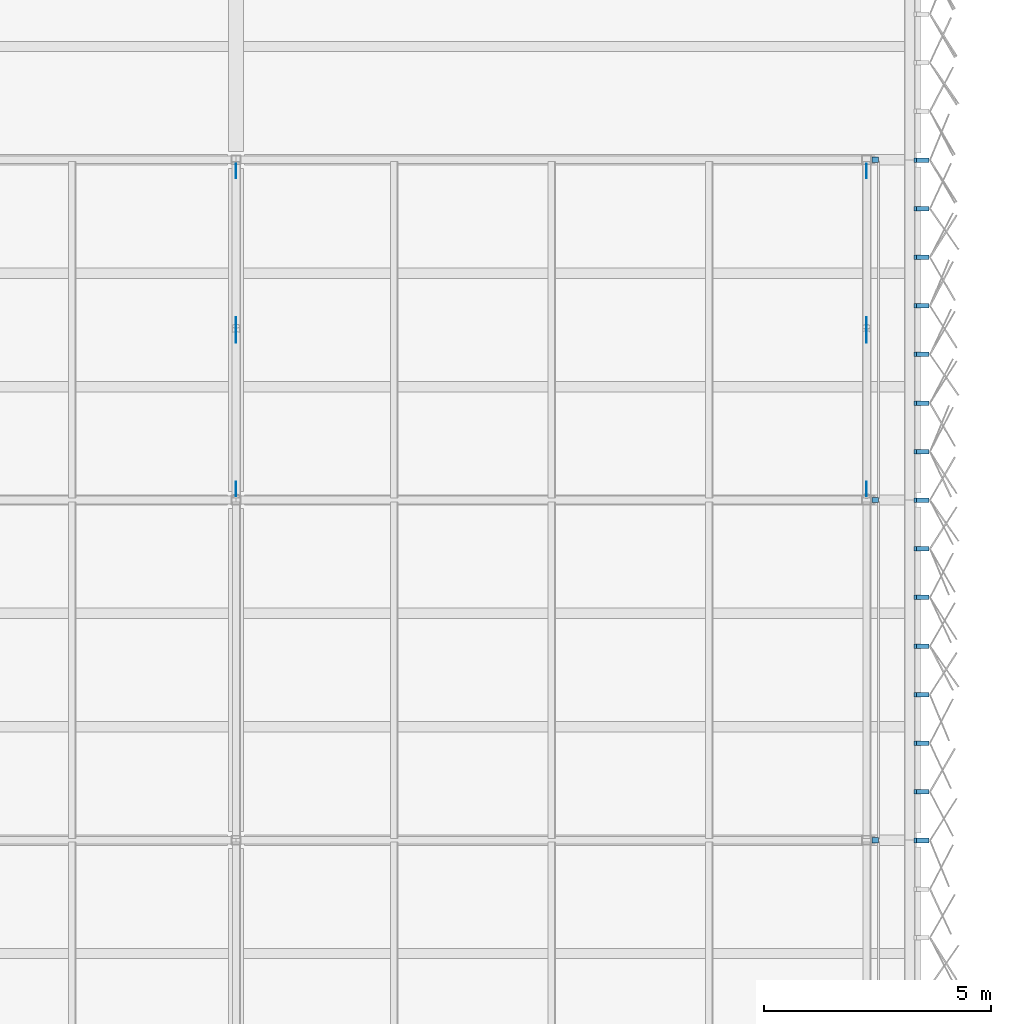
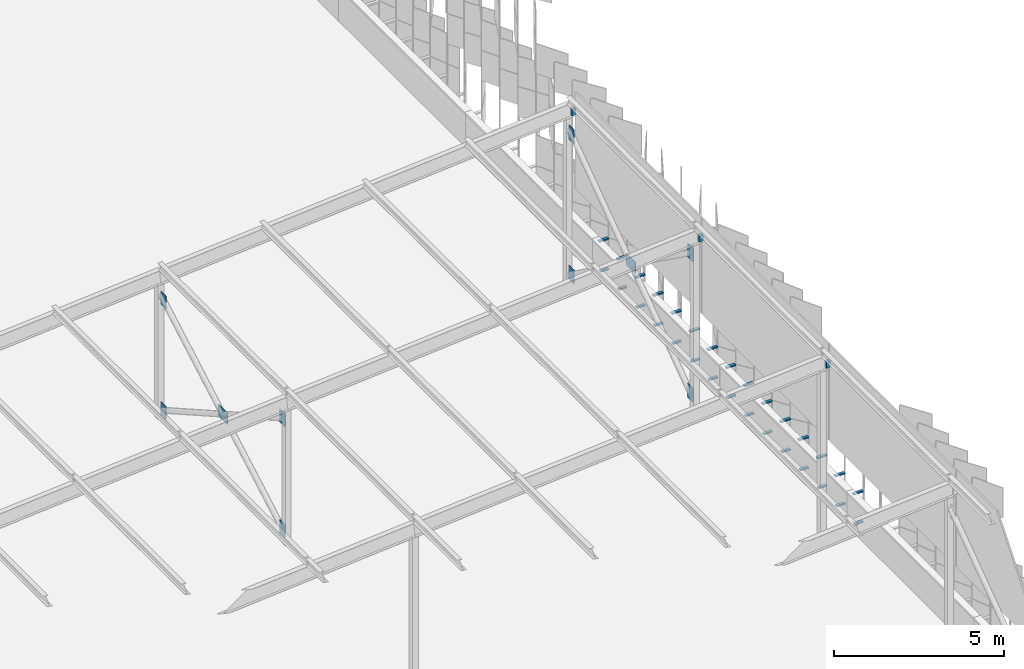
# One storey, part 444 of 483: 43 discrete accessories.
"""IFC4 building model written with IfcOpenShell, lengths in metres."""

from ifc_helpers import new_model, si_unit, direction, frame, origin, origin_2d, place, context, subcontext, project, spatial, polyline, rectangle, outline, extrude, material, layer, layer_set, type_object, element, save


model = new_model("IFC4")

# Units and contexts
model_context = context("Model", 3, precision=1e-05, world=origin(), true_north=direction((0.0, 1.0)))
body_context = subcontext(model_context, "Body", "Model", "MODEL_VIEW")
ifc_project = project(units=[si_unit("LENGTHUNIT", "METRE"), si_unit("AREAUNIT", "SQUARE_METRE"), si_unit("VOLUMEUNIT", "CUBIC_METRE"), si_unit("PLANEANGLEUNIT", "RADIAN"), si_unit("MASSUNIT", "GRAM", prefix="KILO")], contexts=[model_context])

# Site, building, storey
site_placement = place(None, origin())
site = spatial("IfcSite", under=ifc_project, at=site_placement, CompositionType="ELEMENT")
building_placement = place(site_placement, origin())
building = spatial("IfcBuilding", under=site, at=building_placement, Name="Parallax Yard Mobility Hub", CompositionType="ELEMENT")
storey_placement = place(building_placement, frame((0.0, 0.0, 13.199951171875)))
storey = spatial("IfcBuildingStorey", under=building, at=storey_placement, Name="L04", CompositionType="ELEMENT", Elevation=13.199951171875)

# Discrete accessories
ifc_material_1 = material(Name="Steel ASTM A36", Category="steel")
ifc_layer = layer(ifc_material_1, 0.011962890625)
ifc_layer_set = layer_set([ifc_layer], Name="Gusset plate PL12")
discrete_accessory_type_1 = type_object("IfcDiscreteAccessoryType", Name="Gusset plate PL12", PredefinedType="BRACKET", material=ifc_layer_set)
discrete_accessory_1_placement = place(storey_placement, frame((0.0, 0.0, 0.150146484375)))
element("IfcDiscreteAccessory", 1, at=discrete_accessory_1_placement, inside=storey, type_object=discrete_accessory_type_1, Name="Gusset plate PL12 RB bay E-A bay 4 foot on post E-A5", PredefinedType="BRACKET", context=body_context, shape_type="SweptSolid", body=[
    extrude(outline(polyline([(209.993896484375, 67.41845703125), (209.993896484375, 67.098388671875), (210.006103515625, 67.098388671875), (210.006103515625, 67.41845703125), (209.993896484375, 67.41845703125)])), origin(), (0.0, 0.0, 1.0), 0.4697265625),
])
discrete_accessory_2_placement = place(storey_placement, frame((0.0, 0.0, 4.130126953125)))
element("IfcDiscreteAccessory", 2, at=discrete_accessory_2_placement, inside=storey, type_object=discrete_accessory_type_1, Name="Gusset plate PL12 RB bay E-A bay 4 head on post E-A4", PredefinedType="BRACKET", context=body_context, shape_type="SweptSolid", body=[
    extrude(outline(polyline([(210.006103515625, 60.08154296875), (210.006103515625, 60.401611328125), (209.993896484375, 60.401611328125), (209.993896484375, 60.08154296875), (210.006103515625, 60.08154296875)])), origin(), (0.0, 0.0, 1.0), 0.469970703125),
])
discrete_accessory_3_placement = place(storey_placement, frame((0.0, 0.0, 0.150146484375)))
element("IfcDiscreteAccessory", 3, at=discrete_accessory_3_placement, inside=storey, type_object=discrete_accessory_type_1, Name="Gusset plate PL12 RB bay E-A bay 4 foot on post E-A4", PredefinedType="BRACKET", context=body_context, shape_type="SweptSolid", body=[
    extrude(outline(polyline([(210.006103515625, 60.08154296875), (210.006103515625, 60.401611328125), (209.993896484375, 60.401611328125), (209.993896484375, 60.08154296875), (210.006103515625, 60.08154296875)])), origin(), (0.0, 0.0, 1.0), 0.4697265625),
])
discrete_accessory_4_placement = place(storey_placement, frame((0.0, 0.0, 4.130126953125)))
element("IfcDiscreteAccessory", 4, at=discrete_accessory_4_placement, inside=storey, type_object=discrete_accessory_type_1, Name="Gusset plate PL12 RB bay E-A bay 4 head on post E-A5", PredefinedType="BRACKET", context=body_context, shape_type="SweptSolid", body=[
    extrude(outline(polyline([(209.993896484375, 67.41845703125), (209.993896484375, 67.098388671875), (210.006103515625, 67.098388671875), (210.006103515625, 67.41845703125), (209.993896484375, 67.41845703125)])), origin(), (0.0, 0.0, 1.0), 0.469970703125),
])
discrete_accessory_5_placement = place(storey_placement, frame((0.0, 0.0, 2.1650390625)))
element("IfcDiscreteAccessory", 5, at=discrete_accessory_5_placement, inside=storey, type_object=discrete_accessory_type_1, Name="Gusset plate PL12 RB bay E-A bay 4 crossing node", PredefinedType="BRACKET", context=body_context, shape_type="SweptSolid", body=[
    extrude(outline(polyline([(210.006103515625, 63.469970703125), (210.006103515625, 64.030029296875), (209.993896484375, 64.030029296875), (209.993896484375, 63.469970703125), (210.006103515625, 63.469970703125)])), origin(), (0.0, 0.0, 1.0), 0.419921875),
])
discrete_accessory_6_placement = place(storey_placement, frame((0.0, 0.0, 0.150146484375)))
element("IfcDiscreteAccessory", 6, at=discrete_accessory_6_placement, inside=storey, type_object=discrete_accessory_type_1, Name="Gusset plate PL12 RC bay E-A bay 4 foot on post E-A5", PredefinedType="BRACKET", context=body_context, shape_type="SweptSolid", body=[
    extrude(outline(polyline([(223.89404296875, 67.41845703125), (223.89404296875, 67.098388671875), (223.906005859375, 67.098388671875), (223.906005859375, 67.41845703125), (223.89404296875, 67.41845703125)])), origin(), (0.0, 0.0, 1.0), 0.515380859375),
])
discrete_accessory_7_placement = place(storey_placement, frame((0.0, 0.0, 5.196533203125)))
element("IfcDiscreteAccessory", 7, at=discrete_accessory_7_placement, inside=storey, type_object=discrete_accessory_type_1, Name="Gusset plate PL12 RC bay E-A bay 4 head on post E-A4", PredefinedType="BRACKET", context=body_context, shape_type="SweptSolid", body=[
    extrude(outline(polyline([(223.906005859375, 60.08154296875), (223.906005859375, 60.401611328125), (223.89404296875, 60.401611328125), (223.89404296875, 60.08154296875), (223.906005859375, 60.08154296875)])), origin(), (0.0, 0.0, 1.0), 0.515625),
])
discrete_accessory_8_placement = place(storey_placement, frame((0.0, 0.0, 0.150146484375)))
element("IfcDiscreteAccessory", 8, at=discrete_accessory_8_placement, inside=storey, type_object=discrete_accessory_type_1, Name="Gusset plate PL12 RC bay E-A bay 4 foot on post E-A4", PredefinedType="BRACKET", context=body_context, shape_type="SweptSolid", body=[
    extrude(outline(polyline([(223.906005859375, 60.08154296875), (223.906005859375, 60.401611328125), (223.89404296875, 60.401611328125), (223.89404296875, 60.08154296875), (223.906005859375, 60.08154296875)])), origin(), (0.0, 0.0, 1.0), 0.515380859375),
])
discrete_accessory_9_placement = place(storey_placement, frame((0.0, 0.0, 5.196533203125)))
element("IfcDiscreteAccessory", 9, at=discrete_accessory_9_placement, inside=storey, type_object=discrete_accessory_type_1, Name="Gusset plate PL12 RC bay E-A bay 4 head on post E-A5", PredefinedType="BRACKET", context=body_context, shape_type="SweptSolid", body=[
    extrude(outline(polyline([(223.89404296875, 67.41845703125), (223.89404296875, 67.098388671875), (223.906005859375, 67.098388671875), (223.906005859375, 67.41845703125), (223.89404296875, 67.41845703125)])), origin(), (0.0, 0.0, 1.0), 0.515625),
])
discrete_accessory_10_placement = place(storey_placement, frame((0.0, 0.0, 2.720947265625)))
element("IfcDiscreteAccessory", 10, at=discrete_accessory_10_placement, inside=storey, type_object=discrete_accessory_type_1, Name="Gusset plate PL12 RC bay E-A bay 4 crossing node", PredefinedType="BRACKET", context=body_context, shape_type="SweptSolid", body=[
    extrude(outline(polyline([(223.906005859375, 63.469970703125), (223.906005859375, 64.030029296875), (223.89404296875, 64.030029296875), (223.89404296875, 63.469970703125), (223.906005859375, 63.469970703125)])), origin(), (0.0, 0.0, 1.0), 0.420166015625),
])
ifc_material_2 = material(Name="Steel ASTM A36, hot-dip galvanised", Category="steel")
discrete_accessory_type_2 = type_object("IfcDiscreteAccessoryType", Name="Hinge bracket plate 100x50", PredefinedType="BRACKET", material=ifc_material_2)
discrete_accessory_11_placement = place(storey_placement, frame((225.1416015625, 52.491943359375, -0.02490234375), z_axis=(0.0, 0.0, 1.0), x_axis=(1.0, 0.0, 0.0)))
element("IfcDiscreteAccessory", 11, at=discrete_accessory_11_placement, inside=storey, type_object=discrete_accessory_type_2, Name="Hinge bracket plate bay 36.1 level L04", PredefinedType="BRACKET", context=body_context, shape_type="SweptSolid", body=[
    extrude(rectangle(XDim=0.2841796875, YDim=0.10009765625, at=origin_2d()), origin(), (0.0, 0.0, 1.0), 0.050048828125),
])
discrete_accessory_12_placement = place(storey_placement, frame((225.11865234375, 52.491943359375, 1.06982421875), z_axis=(0.0, 0.0, 1.0), x_axis=(1.0, 0.0, 0.0)))
element("IfcDiscreteAccessory", 12, at=discrete_accessory_12_placement, inside=storey, type_object=discrete_accessory_type_2, Name="Hinge bracket plate bay 36.1 level L04", PredefinedType="BRACKET", context=body_context, shape_type="SweptSolid", body=[
    extrude(rectangle(XDim=0.330078125, YDim=0.10009765625, at=origin_2d()), origin(), (0.0, 0.0, 1.0), 0.050048828125),
])
discrete_accessory_13_placement = place(storey_placement, frame((225.1416015625, 53.563720703125, -0.02490234375), z_axis=(0.0, 0.0, 1.0), x_axis=(1.0, 0.0, 0.0)))
element("IfcDiscreteAccessory", 13, at=discrete_accessory_13_placement, inside=storey, type_object=discrete_accessory_type_2, Name="Hinge bracket plate bay 36.2 level L04", PredefinedType="BRACKET", context=body_context, shape_type="SweptSolid", body=[
    extrude(rectangle(XDim=0.2841796875, YDim=0.10009765625, at=origin_2d()), origin(), (0.0, 0.0, 1.0), 0.050048828125),
])
discrete_accessory_14_placement = place(storey_placement, frame((225.11865234375, 53.563720703125, 1.06982421875), z_axis=(0.0, 0.0, 1.0), x_axis=(1.0, 0.0, 0.0)))
element("IfcDiscreteAccessory", 14, at=discrete_accessory_14_placement, inside=storey, type_object=discrete_accessory_type_2, Name="Hinge bracket plate bay 36.2 level L04", PredefinedType="BRACKET", context=body_context, shape_type="SweptSolid", body=[
    extrude(rectangle(XDim=0.330078125, YDim=0.10009765625, at=origin_2d()), origin(), (0.0, 0.0, 1.0), 0.050048828125),
])
discrete_accessory_15_placement = place(storey_placement, frame((225.1416015625, 54.63525390625, -0.02490234375), z_axis=(0.0, 0.0, 1.0), x_axis=(1.0, 0.0, 0.0)))
element("IfcDiscreteAccessory", 15, at=discrete_accessory_15_placement, inside=storey, type_object=discrete_accessory_type_2, Name="Hinge bracket plate bay 36.3 level L04", PredefinedType="BRACKET", context=body_context, shape_type="SweptSolid", body=[
    extrude(rectangle(XDim=0.2841796875, YDim=0.10009765625, at=origin_2d()), origin(), (0.0, 0.0, 1.0), 0.050048828125),
])
discrete_accessory_16_placement = place(storey_placement, frame((225.11865234375, 54.63525390625, 1.06982421875), z_axis=(0.0, 0.0, 1.0), x_axis=(1.0, 0.0, 0.0)))
element("IfcDiscreteAccessory", 16, at=discrete_accessory_16_placement, inside=storey, type_object=discrete_accessory_type_2, Name="Hinge bracket plate bay 36.3 level L04", PredefinedType="BRACKET", context=body_context, shape_type="SweptSolid", body=[
    extrude(rectangle(XDim=0.330078125, YDim=0.10009765625, at=origin_2d()), origin(), (0.0, 0.0, 1.0), 0.050048828125),
])
discrete_accessory_17_placement = place(storey_placement, frame((225.1416015625, 55.70703125, -0.02490234375), z_axis=(0.0, 0.0, 1.0), x_axis=(1.0, 0.0, 0.0)))
element("IfcDiscreteAccessory", 17, at=discrete_accessory_17_placement, inside=storey, type_object=discrete_accessory_type_2, Name="Hinge bracket plate bay 36.4 level L04", PredefinedType="BRACKET", context=body_context, shape_type="SweptSolid", body=[
    extrude(rectangle(XDim=0.2841796875, YDim=0.10009765625, at=origin_2d()), origin(), (0.0, 0.0, 1.0), 0.050048828125),
])
discrete_accessory_18_placement = place(storey_placement, frame((225.11865234375, 55.70703125, 1.06982421875), z_axis=(0.0, 0.0, 1.0), x_axis=(1.0, 0.0, 0.0)))
element("IfcDiscreteAccessory", 18, at=discrete_accessory_18_placement, inside=storey, type_object=discrete_accessory_type_2, Name="Hinge bracket plate bay 36.4 level L04", PredefinedType="BRACKET", context=body_context, shape_type="SweptSolid", body=[
    extrude(rectangle(XDim=0.330078125, YDim=0.10009765625, at=origin_2d()), origin(), (0.0, 0.0, 1.0), 0.050048828125),
])
discrete_accessory_19_placement = place(storey_placement, frame((225.1416015625, 56.77880859375, -0.02490234375), z_axis=(0.0, 0.0, 1.0), x_axis=(1.0, 0.0, 0.0)))
element("IfcDiscreteAccessory", 19, at=discrete_accessory_19_placement, inside=storey, type_object=discrete_accessory_type_2, Name="Hinge bracket plate bay 36.5 level L04", PredefinedType="BRACKET", context=body_context, shape_type="SweptSolid", body=[
    extrude(rectangle(XDim=0.2841796875, YDim=0.10009765625, at=origin_2d()), origin(), (0.0, 0.0, 1.0), 0.050048828125),
])
discrete_accessory_20_placement = place(storey_placement, frame((225.11865234375, 56.77880859375, 1.06982421875), z_axis=(0.0, 0.0, 1.0), x_axis=(1.0, 0.0, 0.0)))
element("IfcDiscreteAccessory", 20, at=discrete_accessory_20_placement, inside=storey, type_object=discrete_accessory_type_2, Name="Hinge bracket plate bay 36.5 level L04", PredefinedType="BRACKET", context=body_context, shape_type="SweptSolid", body=[
    extrude(rectangle(XDim=0.330078125, YDim=0.10009765625, at=origin_2d()), origin(), (0.0, 0.0, 1.0), 0.050048828125),
])
discrete_accessory_21_placement = place(storey_placement, frame((225.1416015625, 57.8505859375, -0.02490234375), z_axis=(0.0, 0.0, 1.0), x_axis=(1.0, 0.0, 0.0)))
element("IfcDiscreteAccessory", 21, at=discrete_accessory_21_placement, inside=storey, type_object=discrete_accessory_type_2, Name="Hinge bracket plate bay 36.6 level L04", PredefinedType="BRACKET", context=body_context, shape_type="SweptSolid", body=[
    extrude(rectangle(XDim=0.2841796875, YDim=0.10009765625, at=origin_2d()), origin(), (0.0, 0.0, 1.0), 0.050048828125),
])
discrete_accessory_22_placement = place(storey_placement, frame((225.11865234375, 57.8505859375, 1.06982421875), z_axis=(0.0, 0.0, 1.0), x_axis=(1.0, 0.0, 0.0)))
element("IfcDiscreteAccessory", 22, at=discrete_accessory_22_placement, inside=storey, type_object=discrete_accessory_type_2, Name="Hinge bracket plate bay 36.6 level L04", PredefinedType="BRACKET", context=body_context, shape_type="SweptSolid", body=[
    extrude(rectangle(XDim=0.330078125, YDim=0.10009765625, at=origin_2d()), origin(), (0.0, 0.0, 1.0), 0.050048828125),
])
discrete_accessory_23_placement = place(storey_placement, frame((225.1416015625, 58.922119140625, -0.02490234375), z_axis=(0.0, 0.0, 1.0), x_axis=(1.0, 0.0, 0.0)))
element("IfcDiscreteAccessory", 23, at=discrete_accessory_23_placement, inside=storey, type_object=discrete_accessory_type_2, Name="Hinge bracket plate bay 36.7 level L04", PredefinedType="BRACKET", context=body_context, shape_type="SweptSolid", body=[
    extrude(rectangle(XDim=0.2841796875, YDim=0.10009765625, at=origin_2d()), origin(), (0.0, 0.0, 1.0), 0.050048828125),
])
discrete_accessory_24_placement = place(storey_placement, frame((225.11865234375, 58.922119140625, 1.06982421875), z_axis=(0.0, 0.0, 1.0), x_axis=(1.0, 0.0, 0.0)))
element("IfcDiscreteAccessory", 24, at=discrete_accessory_24_placement, inside=storey, type_object=discrete_accessory_type_2, Name="Hinge bracket plate bay 36.7 level L04", PredefinedType="BRACKET", context=body_context, shape_type="SweptSolid", body=[
    extrude(rectangle(XDim=0.330078125, YDim=0.10009765625, at=origin_2d()), origin(), (0.0, 0.0, 1.0), 0.050048828125),
])
discrete_accessory_25_placement = place(storey_placement, frame((225.1416015625, 59.993896484375, -0.02490234375), z_axis=(0.0, 0.0, 1.0), x_axis=(1.0, 0.0, 0.0)))
element("IfcDiscreteAccessory", 25, at=discrete_accessory_25_placement, inside=storey, type_object=discrete_accessory_type_2, Name="Hinge bracket plate bay 37.1 level L04", PredefinedType="BRACKET", context=body_context, shape_type="SweptSolid", body=[
    extrude(rectangle(XDim=0.2841796875, YDim=0.10009765625, at=origin_2d()), origin(), (0.0, 0.0, 1.0), 0.050048828125),
])
discrete_accessory_26_placement = place(storey_placement, frame((225.11865234375, 59.993896484375, 1.06982421875), z_axis=(0.0, 0.0, 1.0), x_axis=(1.0, 0.0, 0.0)))
element("IfcDiscreteAccessory", 26, at=discrete_accessory_26_placement, inside=storey, type_object=discrete_accessory_type_2, Name="Hinge bracket plate bay 37.1 level L04", PredefinedType="BRACKET", context=body_context, shape_type="SweptSolid", body=[
    extrude(rectangle(XDim=0.330078125, YDim=0.10009765625, at=origin_2d()), origin(), (0.0, 0.0, 1.0), 0.050048828125),
])
discrete_accessory_27_placement = place(storey_placement, frame((225.1416015625, 61.065673828125, -0.02490234375), z_axis=(0.0, 0.0, 1.0), x_axis=(1.0, 0.0, 0.0)))
element("IfcDiscreteAccessory", 27, at=discrete_accessory_27_placement, inside=storey, type_object=discrete_accessory_type_2, Name="Hinge bracket plate bay 37.2 level L04", PredefinedType="BRACKET", context=body_context, shape_type="SweptSolid", body=[
    extrude(rectangle(XDim=0.2841796875, YDim=0.10009765625, at=origin_2d()), origin(), (0.0, 0.0, 1.0), 0.050048828125),
])
discrete_accessory_28_placement = place(storey_placement, frame((225.11865234375, 61.065673828125, 1.06982421875), z_axis=(0.0, 0.0, 1.0), x_axis=(1.0, 0.0, 0.0)))
element("IfcDiscreteAccessory", 28, at=discrete_accessory_28_placement, inside=storey, type_object=discrete_accessory_type_2, Name="Hinge bracket plate bay 37.2 level L04", PredefinedType="BRACKET", context=body_context, shape_type="SweptSolid", body=[
    extrude(rectangle(XDim=0.330078125, YDim=0.10009765625, at=origin_2d()), origin(), (0.0, 0.0, 1.0), 0.050048828125),
])
discrete_accessory_29_placement = place(storey_placement, frame((225.1416015625, 62.137451171875, -0.02490234375), z_axis=(0.0, 0.0, 1.0), x_axis=(1.0, 0.0, 0.0)))
element("IfcDiscreteAccessory", 29, at=discrete_accessory_29_placement, inside=storey, type_object=discrete_accessory_type_2, Name="Hinge bracket plate bay 37.3 level L04", PredefinedType="BRACKET", context=body_context, shape_type="SweptSolid", body=[
    extrude(rectangle(XDim=0.2841796875, YDim=0.10009765625, at=origin_2d()), origin(), (0.0, 0.0, 1.0), 0.050048828125),
])
discrete_accessory_30_placement = place(storey_placement, frame((225.11865234375, 62.137451171875, 1.06982421875), z_axis=(0.0, 0.0, 1.0), x_axis=(1.0, 0.0, 0.0)))
element("IfcDiscreteAccessory", 30, at=discrete_accessory_30_placement, inside=storey, type_object=discrete_accessory_type_2, Name="Hinge bracket plate bay 37.3 level L04", PredefinedType="BRACKET", context=body_context, shape_type="SweptSolid", body=[
    extrude(rectangle(XDim=0.330078125, YDim=0.10009765625, at=origin_2d()), origin(), (0.0, 0.0, 1.0), 0.050048828125),
])
discrete_accessory_31_placement = place(storey_placement, frame((225.1416015625, 63.209228515625, -0.02490234375), z_axis=(0.0, 0.0, 1.0), x_axis=(1.0, 0.0, 0.0)))
element("IfcDiscreteAccessory", 31, at=discrete_accessory_31_placement, inside=storey, type_object=discrete_accessory_type_2, Name="Hinge bracket plate bay 37.4 level L04", PredefinedType="BRACKET", context=body_context, shape_type="SweptSolid", body=[
    extrude(rectangle(XDim=0.2841796875, YDim=0.10009765625, at=origin_2d()), origin(), (0.0, 0.0, 1.0), 0.050048828125),
])
discrete_accessory_32_placement = place(storey_placement, frame((225.11865234375, 63.209228515625, 1.06982421875), z_axis=(0.0, 0.0, 1.0), x_axis=(1.0, 0.0, 0.0)))
element("IfcDiscreteAccessory", 32, at=discrete_accessory_32_placement, inside=storey, type_object=discrete_accessory_type_2, Name="Hinge bracket plate bay 37.4 level L04", PredefinedType="BRACKET", context=body_context, shape_type="SweptSolid", body=[
    extrude(rectangle(XDim=0.330078125, YDim=0.10009765625, at=origin_2d()), origin(), (0.0, 0.0, 1.0), 0.050048828125),
])
discrete_accessory_33_placement = place(storey_placement, frame((225.1416015625, 64.281005859375, -0.02490234375), z_axis=(0.0, 0.0, 1.0), x_axis=(1.0, 0.0, 0.0)))
element("IfcDiscreteAccessory", 33, at=discrete_accessory_33_placement, inside=storey, type_object=discrete_accessory_type_2, Name="Hinge bracket plate bay 37.5 level L04", PredefinedType="BRACKET", context=body_context, shape_type="SweptSolid", body=[
    extrude(rectangle(XDim=0.2841796875, YDim=0.10009765625, at=origin_2d()), origin(), (0.0, 0.0, 1.0), 0.050048828125),
])
discrete_accessory_34_placement = place(storey_placement, frame((225.11865234375, 64.281005859375, 1.06982421875), z_axis=(0.0, 0.0, 1.0), x_axis=(1.0, 0.0, 0.0)))
element("IfcDiscreteAccessory", 34, at=discrete_accessory_34_placement, inside=storey, type_object=discrete_accessory_type_2, Name="Hinge bracket plate bay 37.5 level L04", PredefinedType="BRACKET", context=body_context, shape_type="SweptSolid", body=[
    extrude(rectangle(XDim=0.330078125, YDim=0.10009765625, at=origin_2d()), origin(), (0.0, 0.0, 1.0), 0.050048828125),
])
discrete_accessory_35_placement = place(storey_placement, frame((225.1416015625, 65.3525390625, -0.02490234375), z_axis=(0.0, 0.0, 1.0), x_axis=(1.0, 0.0, 0.0)))
element("IfcDiscreteAccessory", 35, at=discrete_accessory_35_placement, inside=storey, type_object=discrete_accessory_type_2, Name="Hinge bracket plate bay 37.6 level L04", PredefinedType="BRACKET", context=body_context, shape_type="SweptSolid", body=[
    extrude(rectangle(XDim=0.2841796875, YDim=0.10009765625, at=origin_2d()), origin(), (0.0, 0.0, 1.0), 0.050048828125),
])
discrete_accessory_36_placement = place(storey_placement, frame((225.11865234375, 65.3525390625, 1.06982421875), z_axis=(0.0, 0.0, 1.0), x_axis=(1.0, 0.0, 0.0)))
element("IfcDiscreteAccessory", 36, at=discrete_accessory_36_placement, inside=storey, type_object=discrete_accessory_type_2, Name="Hinge bracket plate bay 37.6 level L04", PredefinedType="BRACKET", context=body_context, shape_type="SweptSolid", body=[
    extrude(rectangle(XDim=0.330078125, YDim=0.10009765625, at=origin_2d()), origin(), (0.0, 0.0, 1.0), 0.050048828125),
])
discrete_accessory_37_placement = place(storey_placement, frame((225.1416015625, 66.42431640625, -0.02490234375), z_axis=(0.0, 0.0, 1.0), x_axis=(1.0, 0.0, 0.0)))
element("IfcDiscreteAccessory", 37, at=discrete_accessory_37_placement, inside=storey, type_object=discrete_accessory_type_2, Name="Hinge bracket plate bay 37.7 level L04", PredefinedType="BRACKET", context=body_context, shape_type="SweptSolid", body=[
    extrude(rectangle(XDim=0.2841796875, YDim=0.10009765625, at=origin_2d()), origin(), (0.0, 0.0, 1.0), 0.050048828125),
])
discrete_accessory_38_placement = place(storey_placement, frame((225.11865234375, 66.42431640625, 1.06982421875), z_axis=(0.0, 0.0, 1.0), x_axis=(1.0, 0.0, 0.0)))
element("IfcDiscreteAccessory", 38, at=discrete_accessory_38_placement, inside=storey, type_object=discrete_accessory_type_2, Name="Hinge bracket plate bay 37.7 level L04", PredefinedType="BRACKET", context=body_context, shape_type="SweptSolid", body=[
    extrude(rectangle(XDim=0.330078125, YDim=0.10009765625, at=origin_2d()), origin(), (0.0, 0.0, 1.0), 0.050048828125),
])
discrete_accessory_39_placement = place(storey_placement, frame((225.1416015625, 67.49609375, -0.02490234375), z_axis=(0.0, 0.0, 1.0), x_axis=(1.0, 0.0, 0.0)))
element("IfcDiscreteAccessory", 39, at=discrete_accessory_39_placement, inside=storey, type_object=discrete_accessory_type_2, Name="Hinge bracket plate bay 38.1 level L04", PredefinedType="BRACKET", context=body_context, shape_type="SweptSolid", body=[
    extrude(rectangle(XDim=0.2841796875, YDim=0.10009765625, at=origin_2d()), origin(), (0.0, 0.0, 1.0), 0.050048828125),
])
discrete_accessory_40_placement = place(storey_placement, frame((225.11865234375, 67.49609375, 1.06982421875), z_axis=(0.0, 0.0, 1.0), x_axis=(1.0, 0.0, 0.0)))
element("IfcDiscreteAccessory", 40, at=discrete_accessory_40_placement, inside=storey, type_object=discrete_accessory_type_2, Name="Hinge bracket plate bay 38.1 level L04", PredefinedType="BRACKET", context=body_context, shape_type="SweptSolid", body=[
    extrude(rectangle(XDim=0.330078125, YDim=0.10009765625, at=origin_2d()), origin(), (0.0, 0.0, 1.0), 0.050048828125),
])
discrete_accessory_type_3 = type_object("IfcDiscreteAccessoryType", Name="Valance bracket plate", PredefinedType="BRACKET", material=ifc_material_2)
for number, where, z_axis, x_axis, name in (
    (41, (224.090087890625, 52.5, 5.961181640625), (0.0, 0.0, 1.0), (1.0, 0.0, 0.0), "Valance bracket plate E-A3"),
    (42, (224.090087890625, 60.0, 5.961181640625), (0.0, 0.0, 1.0), (1.0, 0.0, 0.0), "Valance bracket plate E-A4"),
    (43, (224.090087890625, 67.5, 5.961181640625), (0.0, 0.0, 1.0), (1.0, 0.0, 0.0), "Valance bracket plate E-A5"),
):
    element("IfcDiscreteAccessory", number, at=place(storey_placement, frame(where, z_axis=z_axis, x_axis=x_axis)), inside=storey, type_object=discrete_accessory_type_3, Name=name, PredefinedType="BRACKET", context=body_context, shape_type="SweptSolid", body=[
        extrude(rectangle(XDim=0.139892578125, YDim=0.1201171875, at=origin_2d()), origin(), (0.0, 0.0, 1.0), 0.22998046875),
    ])

save(model, "model.ifc")
